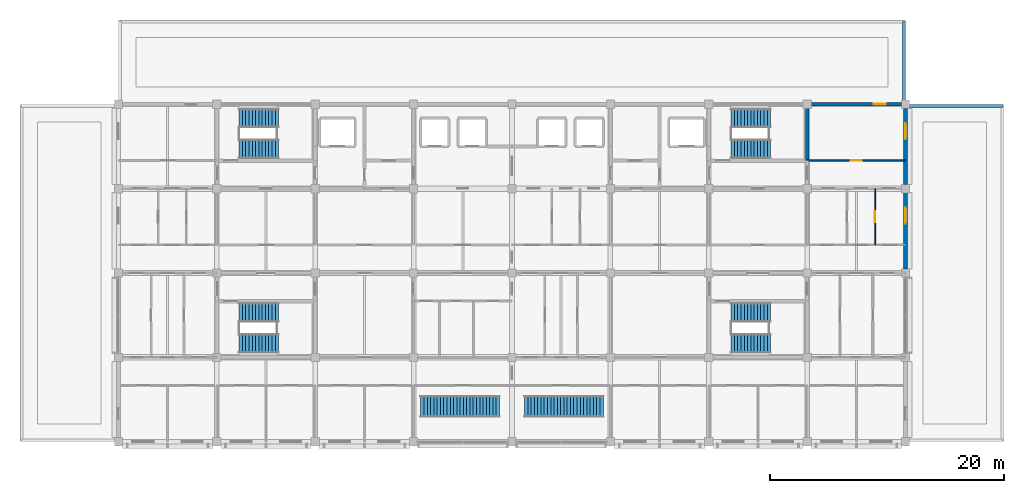
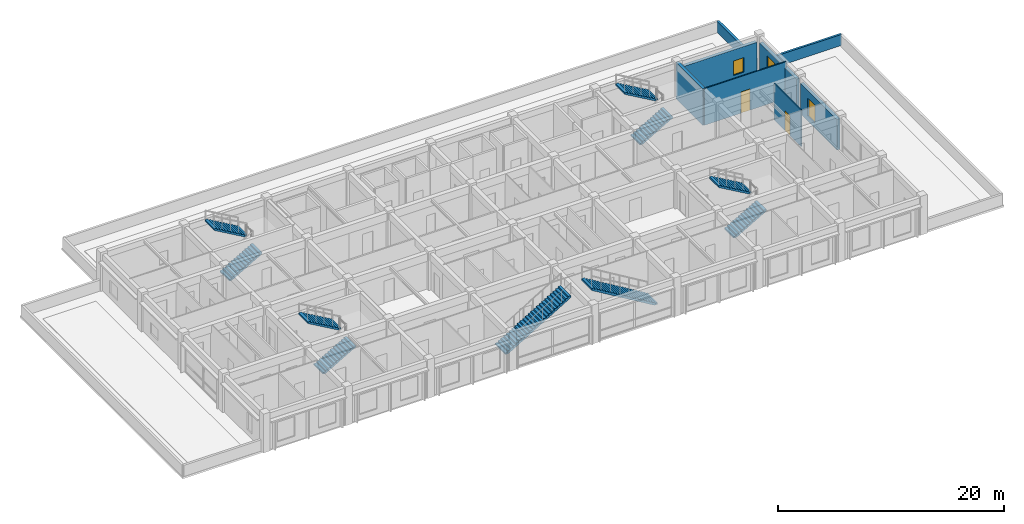
# One storey, part 16 of 19: 10 stair flights, 8 walls, 3 windows, 2 doors, 5 openings, 6 elements without a shape of their own.
"""IFC4 building model written with IfcOpenShell, lengths in metres."""

from ifc_helpers import new_model, si_unit, direction, frame, frame_2d, origin, place, context, subcontext, project, spatial, polyline, rectangle, outline, extrude, material, layer, layer_set, type_object, element, fill, aggregate, save


model = new_model("IFC4")

# Units and contexts
model_context = context("Model", 3, precision=1e-05, world=origin(), true_north=direction((0.0, 1.0)))
body_context = subcontext(model_context, "Body", "Model", "MODEL_VIEW")
ifc_project = project(units=[si_unit("LENGTHUNIT", "METRE"), si_unit("AREAUNIT", "SQUARE_METRE"), si_unit("VOLUMEUNIT", "CUBIC_METRE"), si_unit("PLANEANGLEUNIT", "RADIAN"), si_unit("MASSUNIT", "GRAM", prefix="KILO")], contexts=[model_context])

# Site, building, storey
site_placement = place(None, origin())
site = spatial("IfcSite", under=ifc_project, at=site_placement, CompositionType="ELEMENT")
building_placement = place(site_placement, origin())
building = spatial("IfcBuilding", under=site, at=building_placement, Name="Chengyuan Square Courthouse", CompositionType="ELEMENT")
storey_placement = place(building_placement, frame((0.0, 0.0, 47.699951171875)))
storey = spatial("IfcBuildingStorey", under=building, at=storey_placement, Name="L11", CompositionType="ELEMENT", Elevation=47.699951171875)

# Wall, opening, window
ifc_material_1 = material(Name="Concrete C40", Category="concrete")
ifc_layer_1 = layer(ifc_material_1, 0.320068359375)
ifc_layer_set_1 = layer_set([ifc_layer_1], Name="Concrete C40")
wall_type_1 = type_object("IfcWallType", Name="WL-EW3", PredefinedType="STANDARD", material=ifc_layer_set_1)
wall_1_placement = place(storey_placement, frame((117.60009765625, 93.945068359375, 0.0), z_axis=(0.0, 0.0, 1.0), x_axis=(0.0, 1.0, 0.0)))
wall_1 = element("IfcWall", 1, at=wall_1_placement, inside=storey, type_object=wall_type_1, Name="Exterior Wall WL-L11-E463", PredefinedType="STANDARD", context=body_context, shape_type="SweptSolid", body=[
    extrude(rectangle(XDim=6.510009765625, YDim=0.320068359375, at=frame_2d((3.2548828125, 0.0))), origin(), (0.0, 0.0, 1.0), 3.31005859375),
])
opening_1_placement = place(wall_1_placement, frame((3.8798828125, 0.0, 0.550048828125)))
opening_1 = element("IfcOpeningElement", 2, at=opening_1_placement, cuts=wall_1, Name="Opening WN-195", PredefinedType="OPENING", context=body_context, shape_type="SweptSolid", body=[
    extrude(rectangle(XDim=1.35009765625, YDim=1.919921875, at=frame_2d((0.675048828125, 0.9599609375))), frame((0.0, 0.172119140625, 0.0), z_axis=(0.0, -1.0, 0.0), x_axis=(1.0, 0.0, 0.0)), (0.0, 0.0, 1.0), 0.343994140625),
])
ifc_material_2 = material(Name="Thermally Broken Aluminium Triple Low-E Window", Category="aluminium")
window_type_1 = type_object("IfcWindowType", Name="WT-23", PartitioningType="SINGLE_PANEL", PredefinedType="WINDOW", material=ifc_material_2)
window_1_placement = place(opening_1_placement, origin())
window_1 = element("IfcWindow", 3, at=window_1_placement, inside=storey, type_object=window_type_1, Name="Facade Window WN-195", OverallHeight=1.919921875, OverallWidth=1.35009765625, PartitioningType="SINGLE_PANEL", PredefinedType="WINDOW", context=body_context, shape_type="SweptSolid", body=[
    extrude(rectangle(XDim=1.35009765625, YDim=1.919921875, at=frame_2d((0.675048828125, 0.9599609375))), frame((0.0, 0.030029296875, 0.0), z_axis=(0.0, -1.0, 0.0), x_axis=(1.0, 0.0, 0.0)), (0.0, 0.0, 1.0), 0.06005859375),
])
fill(opening_1, window_1)

wall_2_placement = place(storey_placement, frame((109.544921875, 108.0, 0.0), z_axis=(0.0, 0.0, 1.0), x_axis=(1.0, 0.0, 0.0)))
wall_2 = element("IfcWall", 4, at=wall_2_placement, inside=storey, type_object=wall_type_1, Name="Exterior Wall WL-L11-E464", PredefinedType="STANDARD", context=body_context, shape_type="SweptSolid", body=[
    extrude(rectangle(XDim=7.7099609375, YDim=0.320068359375, at=frame_2d((3.85498046875, 0.0))), origin(), (0.0, 0.0, 1.0), 3.31005859375),
])
opening_2_placement = place(wall_2_placement, frame((5.330078125, 0.0, 0.550048828125)))
opening_2 = element("IfcOpeningElement", 5, at=opening_2_placement, cuts=wall_2, Name="Opening WN-196", PredefinedType="OPENING", context=body_context, shape_type="SweptSolid", body=[
    extrude(rectangle(XDim=1.050048828125, YDim=1.56005859375, at=frame_2d((0.52490234375, 0.780029296875))), frame((0.0, 0.172119140625, 0.0), z_axis=(0.0, -1.0, 0.0), x_axis=(1.0, 0.0, 0.0)), (0.0, 0.0, 1.0), 0.343994140625),
])
window_type_2 = type_object("IfcWindowType", Name="WT-09", PartitioningType="SINGLE_PANEL", PredefinedType="WINDOW", material=ifc_material_2)
window_2_placement = place(opening_2_placement, origin())
window_2 = element("IfcWindow", 6, at=window_2_placement, inside=storey, type_object=window_type_2, Name="Facade Window WN-196", OverallHeight=1.56005859375, OverallWidth=1.050048828125, PartitioningType="SINGLE_PANEL", PredefinedType="WINDOW", context=body_context, shape_type="SweptSolid", body=[
    extrude(rectangle(XDim=1.050048828125, YDim=1.56005859375, at=frame_2d((0.52490234375, 0.780029296875))), frame((0.0, 0.030029296875, 0.0), z_axis=(0.0, -1.0, 0.0), x_axis=(1.0, 0.0, 0.0)), (0.0, 0.0, 1.0), 0.06005859375),
])
fill(opening_2, window_2)

wall_3_placement = place(storey_placement, frame((117.60009765625, 101.14501953125, 0.0), z_axis=(0.0, 0.0, 1.0), x_axis=(0.0, 1.0, 0.0)))
wall_3 = element("IfcWall", 7, at=wall_3_placement, inside=storey, type_object=wall_type_1, Name="Exterior Wall WL-L11-E465", PredefinedType="STANDARD", context=body_context, shape_type="SweptSolid", body=[
    extrude(rectangle(XDim=6.510009765625, YDim=0.320068359375, at=frame_2d((3.2548828125, 0.0))), origin(), (0.0, 0.0, 1.0), 3.31005859375),
])
opening_3_placement = place(wall_3_placement, frame((3.8798828125, 0.0, 0.550048828125)))
opening_3 = element("IfcOpeningElement", 8, at=opening_3_placement, cuts=wall_3, Name="Opening WN-197", PredefinedType="OPENING", context=body_context, shape_type="SweptSolid", body=[
    extrude(rectangle(XDim=1.35009765625, YDim=2.1201171875, at=frame_2d((0.675048828125, 1.06005859375))), frame((0.0, 0.172119140625, 0.0), z_axis=(0.0, -1.0, 0.0), x_axis=(1.0, 0.0, 0.0)), (0.0, 0.0, 1.0), 0.343994140625),
])
window_type_3 = type_object("IfcWindowType", Name="WT-24", PartitioningType="SINGLE_PANEL", PredefinedType="WINDOW", material=ifc_material_2)
window_3_placement = place(opening_3_placement, origin())
window_3 = element("IfcWindow", 9, at=window_3_placement, inside=storey, type_object=window_type_3, Name="Facade Window WN-197", OverallHeight=2.1201171875, OverallWidth=1.35009765625, PartitioningType="SINGLE_PANEL", PredefinedType="WINDOW", context=body_context, shape_type="SweptSolid", body=[
    extrude(rectangle(XDim=1.35009765625, YDim=2.1201171875, at=frame_2d((0.675048828125, 1.06005859375))), frame((0.0, 0.030029296875, 0.0), z_axis=(0.0, -1.0, 0.0), x_axis=(1.0, 0.0, 0.0)), (0.0, 0.0, 1.0), 0.06005859375),
])
fill(opening_3, window_3)

# Walls
ifc_layer_2 = layer(ifc_material_1, 0.219970703125)
ifc_layer_set_2 = layer_set([ifc_layer_2], Name="Concrete C40")
wall_type_2 = type_object("IfcWallType", Name="WL-PR1", PredefinedType="PARAPET", material=ifc_layer_set_2)
wall_4_placement = place(storey_placement, frame((125.860107421875, 107.860107421875, 0.0), z_axis=(0.0, 0.0, 1.0), x_axis=(-1.0, 0.0, 0.0)))
element("IfcWall", 10, at=wall_4_placement, inside=storey, type_object=wall_type_2, Name="Roof Parapet Wall PAR-L11-039", PredefinedType="PARAPET", context=body_context, shape_type="SweptSolid", body=[
    extrude(rectangle(XDim=7.960205078125, YDim=0.219970703125, at=frame_2d((3.97998046875, 0.0))), origin(), (0.0, 0.0, 1.0), 1.199951171875),
])
ifc_layer_3 = layer(ifc_material_1, 0.239990234375)
ifc_layer_set_3 = layer_set([ifc_layer_3], Name="Concrete C40")
wall_type_3 = type_object("IfcWallType", Name="WL-PR2", PredefinedType="PARAPET", material=ifc_layer_set_3)
wall_5_placement = place(storey_placement, frame((117.4599609375, 108.300048828125, 0.0), z_axis=(0.0, 0.0, 1.0), x_axis=(0.0, 1.0, 0.0)))
element("IfcWall", 11, at=wall_5_placement, inside=storey, type_object=wall_type_3, Name="Roof Parapet Wall PAR-L11-034", PredefinedType="PARAPET", context=body_context, shape_type="SweptSolid", body=[
    extrude(rectangle(XDim=6.760009765625, YDim=0.239990234375, at=frame_2d((3.3798828125, 0.0))), origin(), (0.0, 0.0, 1.0), 1.199951171875),
])

# Wall, opening, door
ifc_material_3 = material(Name="Judges Chambers Gypsum Stud Partition")
ifc_layer_4 = layer(ifc_material_3, 0.1201171875)
ifc_layer_set_4 = layer_set([ifc_layer_4], Name="Judges Chambers Gypsum Stud Partition")
wall_type_4 = type_object("IfcWallType", Name="WL-PT5", PredefinedType="STANDARD", material=ifc_layer_set_4)
wall_6_placement = place(storey_placement, frame((109.199951171875, 103.199951171875, 0.0), z_axis=(0.0, 0.0, 1.0), x_axis=(1.0, 0.0, 0.0)))
wall_6 = element("IfcWall", 12, at=wall_6_placement, inside=storey, type_object=wall_type_4, Name="Interior Wall WL-L11-I3548", PredefinedType="STANDARD", context=body_context, shape_type="SweptSolid", body=[
    extrude(rectangle(XDim=8.360107421875, YDim=0.1201171875, at=frame_2d((4.18017578125, 0.0))), origin(), (0.0, 0.0, 1.0), 3.9599609375),
])
opening_4_placement = place(wall_6_placement, frame((3.7099609375, 0.0, 0.0)))
opening_4 = element("IfcOpeningElement", 13, at=opening_4_placement, cuts=wall_6, Name="Opening DR-2942", PredefinedType="OPENING", context=body_context, shape_type="SweptSolid", body=[
    extrude(rectangle(XDim=0.93994140625, YDim=2.300048828125, at=frame_2d((0.469970703125, 1.14990234375))), frame((0.0, 0.072021484375, 0.0), z_axis=(0.0, -1.0, 0.0), x_axis=(1.0, 0.0, 0.0)), (0.0, 0.0, 1.0), 0.14404296875),
])
ifc_material_4 = material(Name="Acoustic Solid-Core Timber Door", Category="wood")
door_type_1 = type_object("IfcDoorType", Name="DT-39", OperationType="NOTDEFINED", PredefinedType="DOOR", material=ifc_material_4)
door_1_placement = place(opening_4_placement, origin())
door_1 = element("IfcDoor", 14, at=door_1_placement, inside=storey, type_object=door_type_1, Name="Interior Door DR-2942", OperationType="SINGLE_SWING_RIGHT", OverallHeight=2.300048828125, OverallWidth=0.93994140625, PredefinedType="DOOR", context=body_context, shape_type="SweptSolid", body=[
    extrude(rectangle(XDim=0.93994140625, YDim=2.300048828125, at=frame_2d((0.469970703125, 1.14990234375))), frame((0.0, 0.02490234375, 0.0), z_axis=(0.0, -1.0, 0.0), x_axis=(1.0, 0.0, 0.0)), (0.0, 0.0, 1.0), 0.050048828125),
])
fill(opening_4, door_1)

ifc_material_5 = material(Name="Gypsum Plasterboard Acoustic Stud Partition")
ifc_layer_5 = layer(ifc_material_5, 0.10009765625)
ifc_layer_set_5 = layer_set([ifc_layer_5], Name="Gypsum Plasterboard Acoustic Stud Partition")
wall_type_5 = type_object("IfcWallType", Name="WL-PT6", PredefinedType="STANDARD", material=ifc_layer_set_5)
wall_7_placement = place(storey_placement, frame((115.0, 96.0, 0.0), z_axis=(0.0, 0.0, 1.0), x_axis=(0.0, 1.0, 0.0)))
wall_7 = element("IfcWall", 15, at=wall_7_placement, inside=storey, type_object=wall_type_5, Name="Interior Wall WL-L11-I3636", PredefinedType="STANDARD", context=body_context, shape_type="SweptSolid", body=[
    extrude(rectangle(XDim=4.800048828125, YDim=0.10009765625, at=frame_2d((2.39990234375, 0.0))), origin(), (0.0, 0.0, 1.0), 3.9599609375),
])
opening_5_placement = place(wall_7_placement, frame((1.93994140625, 0.0, 0.0)))
opening_5 = element("IfcOpeningElement", 16, at=opening_5_placement, cuts=wall_7, Name="Opening DR-2983", PredefinedType="OPENING", context=body_context, shape_type="SweptSolid", body=[
    extrude(rectangle(XDim=0.919921875, YDim=2.14990234375, at=frame_2d((0.4599609375, 1.074951171875))), frame((0.0, 0.06201171875, 0.0), z_axis=(0.0, -1.0, 0.0), x_axis=(1.0, 0.0, 0.0)), (0.0, 0.0, 1.0), 0.1240234375),
])
door_type_2 = type_object("IfcDoorType", Name="DT-29", OperationType="NOTDEFINED", PredefinedType="DOOR", material=ifc_material_4)
door_2_placement = place(opening_5_placement, origin())
door_2 = element("IfcDoor", 17, at=door_2_placement, inside=storey, type_object=door_type_2, Name="Interior Door DR-2983", OperationType="SINGLE_SWING_RIGHT", OverallHeight=2.14990234375, OverallWidth=0.919921875, PredefinedType="DOOR", context=body_context, shape_type="SweptSolid", body=[
    extrude(rectangle(XDim=0.919921875, YDim=2.14990234375, at=frame_2d((0.4599609375, 1.074951171875))), frame((0.0, 0.02490234375, 0.0), z_axis=(0.0, -1.0, 0.0), x_axis=(1.0, 0.0, 0.0)), (0.0, 0.0, 1.0), 0.050048828125),
])
fill(opening_5, door_2)

# Wall
ifc_layer_6 = layer(ifc_material_1, 0.300048828125)
ifc_layer_set_6 = layer_set([ifc_layer_6], Name="Concrete C40")
wall_type_6 = type_object("IfcWallType", Name="WL-SW2", PredefinedType="SHEAR", material=ifc_layer_set_6)
wall_8_placement = place(storey_placement, frame((109.199951171875, 103.199951171875, 0.0), z_axis=(0.0, 0.0, 1.0), x_axis=(0.0, 1.0, 0.0)))
element("IfcWall", 18, at=wall_8_placement, inside=storey, type_object=wall_type_6, Name="Interior Wall WL-L11-I3631", PredefinedType="SHEAR", context=body_context, shape_type="SweptSolid", body=[
    extrude(rectangle(XDim=4.760009765625, YDim=0.300048828125, at=frame_2d((2.3798828125, 0.0))), origin(), (0.0, 0.0, 1.0), 3.9599609375),
])

# Stair, stair flights
stair_type_1 = type_object("IfcStairType", Name="ST-TYPE-01", PredefinedType="HALF_TURN_STAIR", material=ifc_material_1)
stair_1_placement = place(storey_placement, origin())
stair_1 = element("IfcStair", 19, at=stair_1_placement, inside=storey, type_object=stair_type_1, Name="Smoke-Proof Exit Stair ST-1 (L11 to L12)", PredefinedType="HALF_TURN_STAIR")
stair_flight_type_1 = type_object("IfcStairFlightType", Name="STF-TYPE-01", PredefinedType="STRAIGHT", material=ifc_material_1)
stair_flight_1_placement = place(storey_placement, frame((60.7099609375, 104.175048828125, 0.0), z_axis=(0.0, 0.0, 1.0), x_axis=(1.0, 0.0, 0.0)))
stair_flight_1 = element("IfcStairFlight", 20, at=stair_flight_1_placement, type_object=stair_flight_type_1, Name="ST-1 flight 1", NumberOfRisers=13, NumberOfTreads=12, PredefinedType="STRAIGHT", RiserHeight=0.161538462, TreadLength=0.28, context=body_context, shape_type="SweptSolid", body=[
    extrude(outline(polyline([(0.0, 0.0), (0.0, 0.16162109375), (0.280029296875, 0.16162109375), (0.280029296875, 0.322998046875), (0.56005859375, 0.322998046875), (0.56005859375, 0.484619140625), (0.840087890625, 0.484619140625), (0.840087890625, 0.646240234375), (1.1201171875, 0.646240234375), (1.1201171875, 0.8076171875), (1.39990234375, 0.8076171875), (1.39990234375, 0.96923828125), (1.679931640625, 0.96923828125), (1.679931640625, 1.130859375), (1.9599609375, 1.130859375), (1.9599609375, 1.292236328125), (2.239990234375, 1.292236328125), (2.239990234375, 1.453857421875), (2.52001953125, 1.453857421875), (2.52001953125, 1.615478515625), (2.800048828125, 1.615478515625), (2.800048828125, 1.77685546875), (3.080078125, 1.77685546875), (3.080078125, 1.9384765625), (3.360107421875, 1.9384765625), (3.360107421875, 2.10009765625), (3.360107421875, 1.765380859375), (0.300048828125, 0.0), (0.0, 0.0)])), frame((0.0, 0.824951171875, 0.0), z_axis=(0.0, -1.0, 0.0), x_axis=(1.0, 0.0, 0.0)), (0.0, 0.0, 1.0), 1.64990234375),
])
stair_flight_2_placement = place(storey_placement, frame((64.070068359375, 106.824951171875, 2.10009765625), z_axis=(0.0, 0.0, 1.0), x_axis=(-1.0, 0.0, 0.0)))
stair_flight_2 = element("IfcStairFlight", 21, at=stair_flight_2_placement, type_object=stair_flight_type_1, Name="ST-1 flight 2", NumberOfRisers=13, NumberOfTreads=12, PredefinedType="STRAIGHT", RiserHeight=0.161538462, TreadLength=0.28, context=body_context, shape_type="SweptSolid", body=[
    extrude(outline(polyline([(0.0, 0.0), (0.0, 0.16162109375), (0.280029296875, 0.16162109375), (0.280029296875, 0.322998046875), (0.56005859375, 0.322998046875), (0.56005859375, 0.484619140625), (0.840087890625, 0.484619140625), (0.840087890625, 0.646240234375), (1.1201171875, 0.646240234375), (1.1201171875, 0.8076171875), (1.39990234375, 0.8076171875), (1.39990234375, 0.96923828125), (1.679931640625, 0.96923828125), (1.679931640625, 1.130859375), (1.9599609375, 1.130859375), (1.9599609375, 1.292236328125), (2.239990234375, 1.292236328125), (2.239990234375, 1.453857421875), (2.52001953125, 1.453857421875), (2.52001953125, 1.615478515625), (2.800048828125, 1.615478515625), (2.800048828125, 1.77685546875), (3.080078125, 1.77685546875), (3.080078125, 1.9384765625), (3.360107421875, 1.9384765625), (3.360107421875, 2.10009765625), (3.360107421875, 1.765380859375), (0.300048828125, 0.0), (0.0, 0.0)])), frame((0.0, 0.824951171875, 0.0), z_axis=(0.0, -1.0, 0.0), x_axis=(1.0, 0.0, 0.0)), (0.0, 0.0, 1.0), 1.64990234375),
])
aggregate(stair_1, [stair_flight_1, stair_flight_2])

stair_type_2 = type_object("IfcStairType", Name="ST-TYPE-02", PredefinedType="HALF_TURN_STAIR", material=ifc_material_1)
stair_2_placement = place(storey_placement, origin())
stair_2 = element("IfcStair", 22, at=stair_2_placement, inside=storey, type_object=stair_type_2, Name="Smoke-Proof Exit Stair ST-2 (L11 to L12)", PredefinedType="HALF_TURN_STAIR")
stair_flight_type_2 = type_object("IfcStairFlightType", Name="STF-TYPE-02", PredefinedType="STRAIGHT", material=ifc_material_1)
stair_flight_3_placement = place(storey_placement, frame((102.7099609375, 104.175048828125, 0.0), z_axis=(0.0, 0.0, 1.0), x_axis=(1.0, 0.0, 0.0)))
stair_flight_3 = element("IfcStairFlight", 23, at=stair_flight_3_placement, type_object=stair_flight_type_2, Name="ST-2 flight 1", NumberOfRisers=13, NumberOfTreads=12, PredefinedType="STRAIGHT", RiserHeight=0.161538462, TreadLength=0.28, context=body_context, shape_type="SweptSolid", body=[
    extrude(outline(polyline([(0.0, 0.0), (0.0, 0.16162109375), (0.280029296875, 0.16162109375), (0.280029296875, 0.322998046875), (0.56005859375, 0.322998046875), (0.56005859375, 0.484619140625), (0.840087890625, 0.484619140625), (0.840087890625, 0.646240234375), (1.1201171875, 0.646240234375), (1.1201171875, 0.8076171875), (1.39990234375, 0.8076171875), (1.39990234375, 0.96923828125), (1.679931640625, 0.96923828125), (1.679931640625, 1.130859375), (1.9599609375, 1.130859375), (1.9599609375, 1.292236328125), (2.239990234375, 1.292236328125), (2.239990234375, 1.453857421875), (2.52001953125, 1.453857421875), (2.52001953125, 1.615478515625), (2.800048828125, 1.615478515625), (2.800048828125, 1.77685546875), (3.080078125, 1.77685546875), (3.080078125, 1.9384765625), (3.360107421875, 1.9384765625), (3.360107421875, 2.10009765625), (3.360107421875, 1.765380859375), (0.300048828125, 0.0), (0.0, 0.0)])), frame((0.0, 0.824951171875, 0.0), z_axis=(0.0, -1.0, 0.0), x_axis=(1.0, 0.0, 0.0)), (0.0, 0.0, 1.0), 1.64990234375),
])
stair_flight_4_placement = place(storey_placement, frame((106.070068359375, 106.824951171875, 2.10009765625), z_axis=(0.0, 0.0, 1.0), x_axis=(-1.0, 0.0, 0.0)))
stair_flight_4 = element("IfcStairFlight", 24, at=stair_flight_4_placement, type_object=stair_flight_type_2, Name="ST-2 flight 2", NumberOfRisers=13, NumberOfTreads=12, PredefinedType="STRAIGHT", RiserHeight=0.161538462, TreadLength=0.28, context=body_context, shape_type="SweptSolid", body=[
    extrude(outline(polyline([(0.0, 0.0), (0.0, 0.16162109375), (0.280029296875, 0.16162109375), (0.280029296875, 0.322998046875), (0.56005859375, 0.322998046875), (0.56005859375, 0.484619140625), (0.840087890625, 0.484619140625), (0.840087890625, 0.646240234375), (1.1201171875, 0.646240234375), (1.1201171875, 0.8076171875), (1.39990234375, 0.8076171875), (1.39990234375, 0.96923828125), (1.679931640625, 0.96923828125), (1.679931640625, 1.130859375), (1.9599609375, 1.130859375), (1.9599609375, 1.292236328125), (2.239990234375, 1.292236328125), (2.239990234375, 1.453857421875), (2.52001953125, 1.453857421875), (2.52001953125, 1.615478515625), (2.800048828125, 1.615478515625), (2.800048828125, 1.77685546875), (3.080078125, 1.77685546875), (3.080078125, 1.9384765625), (3.360107421875, 1.9384765625), (3.360107421875, 2.10009765625), (3.360107421875, 1.765380859375), (0.300048828125, 0.0), (0.0, 0.0)])), frame((0.0, 0.824951171875, 0.0), z_axis=(0.0, -1.0, 0.0), x_axis=(1.0, 0.0, 0.0)), (0.0, 0.0, 1.0), 1.64990234375),
])
aggregate(stair_2, [stair_flight_3, stair_flight_4])

stair_type_3 = type_object("IfcStairType", Name="ST-TYPE-03", PredefinedType="HALF_TURN_STAIR", material=ifc_material_1)
stair_3_placement = place(storey_placement, origin())
stair_3 = element("IfcStair", 25, at=stair_3_placement, inside=storey, type_object=stair_type_3, Name="Smoke-Proof Exit Stair ST-3 (L11 to L12)", PredefinedType="HALF_TURN_STAIR")
stair_flight_type_3 = type_object("IfcStairFlightType", Name="STF-TYPE-03", PredefinedType="STRAIGHT", material=ifc_material_1)
stair_flight_5_placement = place(storey_placement, frame((60.7099609375, 87.574951171875, 0.0), z_axis=(0.0, 0.0, 1.0), x_axis=(1.0, 0.0, 0.0)))
stair_flight_5 = element("IfcStairFlight", 26, at=stair_flight_5_placement, type_object=stair_flight_type_3, Name="ST-3 flight 1", NumberOfRisers=13, NumberOfTreads=12, PredefinedType="STRAIGHT", RiserHeight=0.161538462, TreadLength=0.28, context=body_context, shape_type="SweptSolid", body=[
    extrude(outline(polyline([(0.0, 0.0), (0.0, 0.16162109375), (0.280029296875, 0.16162109375), (0.280029296875, 0.322998046875), (0.56005859375, 0.322998046875), (0.56005859375, 0.484619140625), (0.840087890625, 0.484619140625), (0.840087890625, 0.646240234375), (1.1201171875, 0.646240234375), (1.1201171875, 0.8076171875), (1.39990234375, 0.8076171875), (1.39990234375, 0.96923828125), (1.679931640625, 0.96923828125), (1.679931640625, 1.130859375), (1.9599609375, 1.130859375), (1.9599609375, 1.292236328125), (2.239990234375, 1.292236328125), (2.239990234375, 1.453857421875), (2.52001953125, 1.453857421875), (2.52001953125, 1.615478515625), (2.800048828125, 1.615478515625), (2.800048828125, 1.77685546875), (3.080078125, 1.77685546875), (3.080078125, 1.9384765625), (3.360107421875, 1.9384765625), (3.360107421875, 2.10009765625), (3.360107421875, 1.765380859375), (0.300048828125, 0.0), (0.0, 0.0)])), frame((0.0, 0.824951171875, 0.0), z_axis=(0.0, -1.0, 0.0), x_axis=(1.0, 0.0, 0.0)), (0.0, 0.0, 1.0), 1.64990234375),
])
stair_flight_6_placement = place(storey_placement, frame((64.070068359375, 90.22509765625, 2.10009765625), z_axis=(0.0, 0.0, 1.0), x_axis=(-1.0, 0.0, 0.0)))
stair_flight_6 = element("IfcStairFlight", 27, at=stair_flight_6_placement, type_object=stair_flight_type_3, Name="ST-3 flight 2", NumberOfRisers=13, NumberOfTreads=12, PredefinedType="STRAIGHT", RiserHeight=0.161538462, TreadLength=0.28, context=body_context, shape_type="SweptSolid", body=[
    extrude(outline(polyline([(0.0, 0.0), (0.0, 0.16162109375), (0.280029296875, 0.16162109375), (0.280029296875, 0.322998046875), (0.56005859375, 0.322998046875), (0.56005859375, 0.484619140625), (0.840087890625, 0.484619140625), (0.840087890625, 0.646240234375), (1.1201171875, 0.646240234375), (1.1201171875, 0.8076171875), (1.39990234375, 0.8076171875), (1.39990234375, 0.96923828125), (1.679931640625, 0.96923828125), (1.679931640625, 1.130859375), (1.9599609375, 1.130859375), (1.9599609375, 1.292236328125), (2.239990234375, 1.292236328125), (2.239990234375, 1.453857421875), (2.52001953125, 1.453857421875), (2.52001953125, 1.615478515625), (2.800048828125, 1.615478515625), (2.800048828125, 1.77685546875), (3.080078125, 1.77685546875), (3.080078125, 1.9384765625), (3.360107421875, 1.9384765625), (3.360107421875, 2.10009765625), (3.360107421875, 1.765380859375), (0.300048828125, 0.0), (0.0, 0.0)])), frame((0.0, 0.824951171875, 0.0), z_axis=(0.0, -1.0, 0.0), x_axis=(1.0, 0.0, 0.0)), (0.0, 0.0, 1.0), 1.64990234375),
])
aggregate(stair_3, [stair_flight_5, stair_flight_6])

stair_type_4 = type_object("IfcStairType", Name="ST-TYPE-04", PredefinedType="HALF_TURN_STAIR", material=ifc_material_1)
stair_4_placement = place(storey_placement, origin())
stair_4 = element("IfcStair", 28, at=stair_4_placement, inside=storey, type_object=stair_type_4, Name="Smoke-Proof Exit Stair ST-4 (L11 to L12)", PredefinedType="HALF_TURN_STAIR")
stair_flight_type_4 = type_object("IfcStairFlightType", Name="STF-TYPE-04", PredefinedType="STRAIGHT", material=ifc_material_1)
stair_flight_7_placement = place(storey_placement, frame((102.7099609375, 87.574951171875, 0.0), z_axis=(0.0, 0.0, 1.0), x_axis=(1.0, 0.0, 0.0)))
stair_flight_7 = element("IfcStairFlight", 29, at=stair_flight_7_placement, type_object=stair_flight_type_4, Name="ST-4 flight 1", NumberOfRisers=13, NumberOfTreads=12, PredefinedType="STRAIGHT", RiserHeight=0.161538462, TreadLength=0.28, context=body_context, shape_type="SweptSolid", body=[
    extrude(outline(polyline([(0.0, 0.0), (0.0, 0.16162109375), (0.280029296875, 0.16162109375), (0.280029296875, 0.322998046875), (0.56005859375, 0.322998046875), (0.56005859375, 0.484619140625), (0.840087890625, 0.484619140625), (0.840087890625, 0.646240234375), (1.1201171875, 0.646240234375), (1.1201171875, 0.8076171875), (1.39990234375, 0.8076171875), (1.39990234375, 0.96923828125), (1.679931640625, 0.96923828125), (1.679931640625, 1.130859375), (1.9599609375, 1.130859375), (1.9599609375, 1.292236328125), (2.239990234375, 1.292236328125), (2.239990234375, 1.453857421875), (2.52001953125, 1.453857421875), (2.52001953125, 1.615478515625), (2.800048828125, 1.615478515625), (2.800048828125, 1.77685546875), (3.080078125, 1.77685546875), (3.080078125, 1.9384765625), (3.360107421875, 1.9384765625), (3.360107421875, 2.10009765625), (3.360107421875, 1.765380859375), (0.300048828125, 0.0), (0.0, 0.0)])), frame((0.0, 0.824951171875, 0.0), z_axis=(0.0, -1.0, 0.0), x_axis=(1.0, 0.0, 0.0)), (0.0, 0.0, 1.0), 1.64990234375),
])
stair_flight_8_placement = place(storey_placement, frame((106.070068359375, 90.22509765625, 2.10009765625), z_axis=(0.0, 0.0, 1.0), x_axis=(-1.0, 0.0, 0.0)))
stair_flight_8 = element("IfcStairFlight", 30, at=stair_flight_8_placement, type_object=stair_flight_type_4, Name="ST-4 flight 2", NumberOfRisers=13, NumberOfTreads=12, PredefinedType="STRAIGHT", RiserHeight=0.161538462, TreadLength=0.28, context=body_context, shape_type="SweptSolid", body=[
    extrude(outline(polyline([(0.0, 0.0), (0.0, 0.16162109375), (0.280029296875, 0.16162109375), (0.280029296875, 0.322998046875), (0.56005859375, 0.322998046875), (0.56005859375, 0.484619140625), (0.840087890625, 0.484619140625), (0.840087890625, 0.646240234375), (1.1201171875, 0.646240234375), (1.1201171875, 0.8076171875), (1.39990234375, 0.8076171875), (1.39990234375, 0.96923828125), (1.679931640625, 0.96923828125), (1.679931640625, 1.130859375), (1.9599609375, 1.130859375), (1.9599609375, 1.292236328125), (2.239990234375, 1.292236328125), (2.239990234375, 1.453857421875), (2.52001953125, 1.453857421875), (2.52001953125, 1.615478515625), (2.800048828125, 1.615478515625), (2.800048828125, 1.77685546875), (3.080078125, 1.77685546875), (3.080078125, 1.9384765625), (3.360107421875, 1.9384765625), (3.360107421875, 2.10009765625), (3.360107421875, 1.765380859375), (0.300048828125, 0.0), (0.0, 0.0)])), frame((0.0, 0.824951171875, 0.0), z_axis=(0.0, -1.0, 0.0), x_axis=(1.0, 0.0, 0.0)), (0.0, 0.0, 1.0), 1.64990234375),
])
aggregate(stair_4, [stair_flight_7, stair_flight_8])

# Stair, stair flight
stair_type_5 = type_object("IfcStairType", Name="ST-TYPE-11", PredefinedType="STRAIGHT_RUN_STAIR", material=ifc_material_1)
stair_5_placement = place(storey_placement, origin())
stair_5 = element("IfcStair", 31, at=stair_5_placement, inside=storey, type_object=stair_type_5, Name="Feature Collegial Stair ST-11E", PredefinedType="STRAIGHT_RUN_STAIR")
stair_flight_type_5 = type_object("IfcStairFlightType", Name="STF-TYPE-11", PredefinedType="STRAIGHT", material=ifc_material_1)
stair_flight_9_placement = place(storey_placement, frame((76.2099609375, 82.199951171875, 0.0), z_axis=(0.0, 0.0, 1.0), x_axis=(1.0, 0.0, 0.0)))
stair_flight_9 = element("IfcStairFlight", 32, at=stair_flight_9_placement, type_object=stair_flight_type_5, Name="ST-11 flight 1", NumberOfRisers=25, NumberOfTreads=24, PredefinedType="STRAIGHT", RiserHeight=0.168, TreadLength=0.28, context=body_context, shape_type="SweptSolid", body=[
    extrude(outline(polyline([(0.0, 0.0), (0.0, 0.16796875), (0.280029296875, 0.16796875), (0.280029296875, 0.3359375), (0.56005859375, 0.3359375), (0.56005859375, 0.50390625), (0.840087890625, 0.50390625), (0.840087890625, 0.672119140625), (1.1201171875, 0.672119140625), (1.1201171875, 0.840087890625), (1.39990234375, 0.840087890625), (1.39990234375, 1.008056640625), (1.679931640625, 1.008056640625), (1.679931640625, 1.176025390625), (1.9599609375, 1.176025390625), (1.9599609375, 1.343994140625), (2.239990234375, 1.343994140625), (2.239990234375, 1.511962890625), (2.52001953125, 1.511962890625), (2.52001953125, 1.679931640625), (2.800048828125, 1.679931640625), (2.800048828125, 1.847900390625), (3.080078125, 1.847900390625), (3.080078125, 2.01611328125), (3.360107421875, 2.01611328125), (3.360107421875, 2.18408203125), (3.639892578125, 2.18408203125), (3.639892578125, 2.35205078125), (3.919921875, 2.35205078125), (3.919921875, 2.52001953125), (4.199951171875, 2.52001953125), (4.199951171875, 2.68798828125), (4.47998046875, 2.68798828125), (4.47998046875, 2.85595703125), (4.760009765625, 2.85595703125), (4.760009765625, 3.02392578125), (5.0400390625, 3.02392578125), (5.0400390625, 3.19189453125), (5.320068359375, 3.19189453125), (5.320068359375, 3.360107421875), (5.60009765625, 3.360107421875), (5.60009765625, 3.528076171875), (5.8798828125, 3.528076171875), (5.8798828125, 3.696044921875), (6.159912109375, 3.696044921875), (6.159912109375, 3.864013671875), (6.43994140625, 3.864013671875), (6.43994140625, 4.031982421875), (6.719970703125, 4.031982421875), (6.719970703125, 4.199951171875), (6.719970703125, 3.822265625), (0.349609375, 0.0), (0.0, 0.0)])), frame((0.0, 0.89990234375, 0.0), z_axis=(0.0, -1.0, 0.0), x_axis=(1.0, 0.0, 0.0)), (0.0, 0.0, 1.0), 1.800048828125),
])
aggregate(stair_5, [stair_flight_9])

stair_6_placement = place(storey_placement, origin())
stair_6 = element("IfcStair", 33, at=stair_6_placement, inside=storey, type_object=stair_type_5, Name="Feature Collegial Stair ST-11F", PredefinedType="STRAIGHT_RUN_STAIR")
stair_flight_10_placement = place(storey_placement, frame((91.7900390625, 82.199951171875, 0.0), z_axis=(0.0, 0.0, 1.0), x_axis=(-1.0, 0.0, 0.0)))
stair_flight_10 = element("IfcStairFlight", 34, at=stair_flight_10_placement, type_object=stair_flight_type_5, Name="ST-11 flight 1", NumberOfRisers=25, NumberOfTreads=24, PredefinedType="STRAIGHT", RiserHeight=0.168, TreadLength=0.28, context=body_context, shape_type="SweptSolid", body=[
    extrude(outline(polyline([(0.0, 0.0), (0.0, 0.16796875), (0.280029296875, 0.16796875), (0.280029296875, 0.3359375), (0.56005859375, 0.3359375), (0.56005859375, 0.50390625), (0.840087890625, 0.50390625), (0.840087890625, 0.672119140625), (1.1201171875, 0.672119140625), (1.1201171875, 0.840087890625), (1.39990234375, 0.840087890625), (1.39990234375, 1.008056640625), (1.679931640625, 1.008056640625), (1.679931640625, 1.176025390625), (1.9599609375, 1.176025390625), (1.9599609375, 1.343994140625), (2.239990234375, 1.343994140625), (2.239990234375, 1.511962890625), (2.52001953125, 1.511962890625), (2.52001953125, 1.679931640625), (2.800048828125, 1.679931640625), (2.800048828125, 1.847900390625), (3.080078125, 1.847900390625), (3.080078125, 2.01611328125), (3.360107421875, 2.01611328125), (3.360107421875, 2.18408203125), (3.639892578125, 2.18408203125), (3.639892578125, 2.35205078125), (3.919921875, 2.35205078125), (3.919921875, 2.52001953125), (4.199951171875, 2.52001953125), (4.199951171875, 2.68798828125), (4.47998046875, 2.68798828125), (4.47998046875, 2.85595703125), (4.760009765625, 2.85595703125), (4.760009765625, 3.02392578125), (5.0400390625, 3.02392578125), (5.0400390625, 3.19189453125), (5.320068359375, 3.19189453125), (5.320068359375, 3.360107421875), (5.60009765625, 3.360107421875), (5.60009765625, 3.528076171875), (5.8798828125, 3.528076171875), (5.8798828125, 3.696044921875), (6.159912109375, 3.696044921875), (6.159912109375, 3.864013671875), (6.43994140625, 3.864013671875), (6.43994140625, 4.031982421875), (6.719970703125, 4.031982421875), (6.719970703125, 4.199951171875), (6.719970703125, 3.822265625), (0.349609375, 0.0), (0.0, 0.0)])), frame((0.0, 0.89990234375, 0.0), z_axis=(0.0, -1.0, 0.0), x_axis=(1.0, 0.0, 0.0)), (0.0, 0.0, 1.0), 1.800048828125),
])
aggregate(stair_6, [stair_flight_10])

save(model, "model.ifc")
